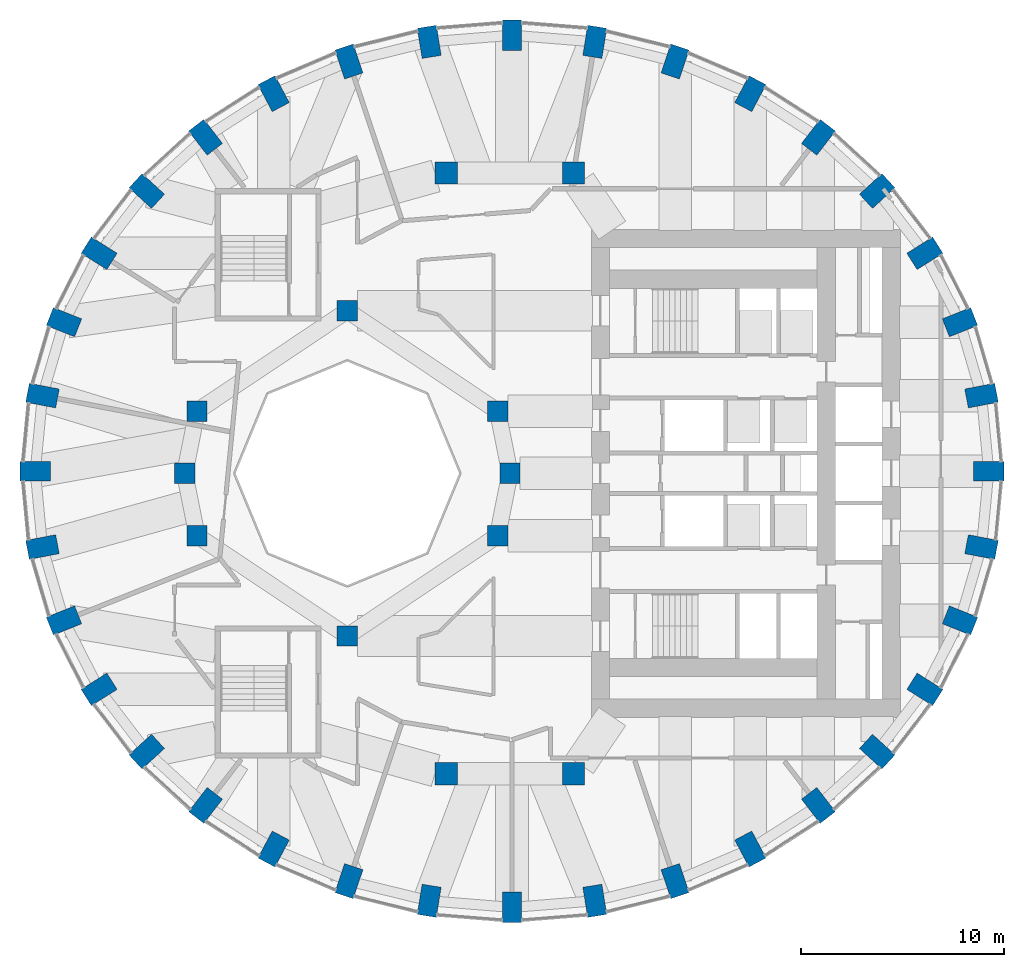
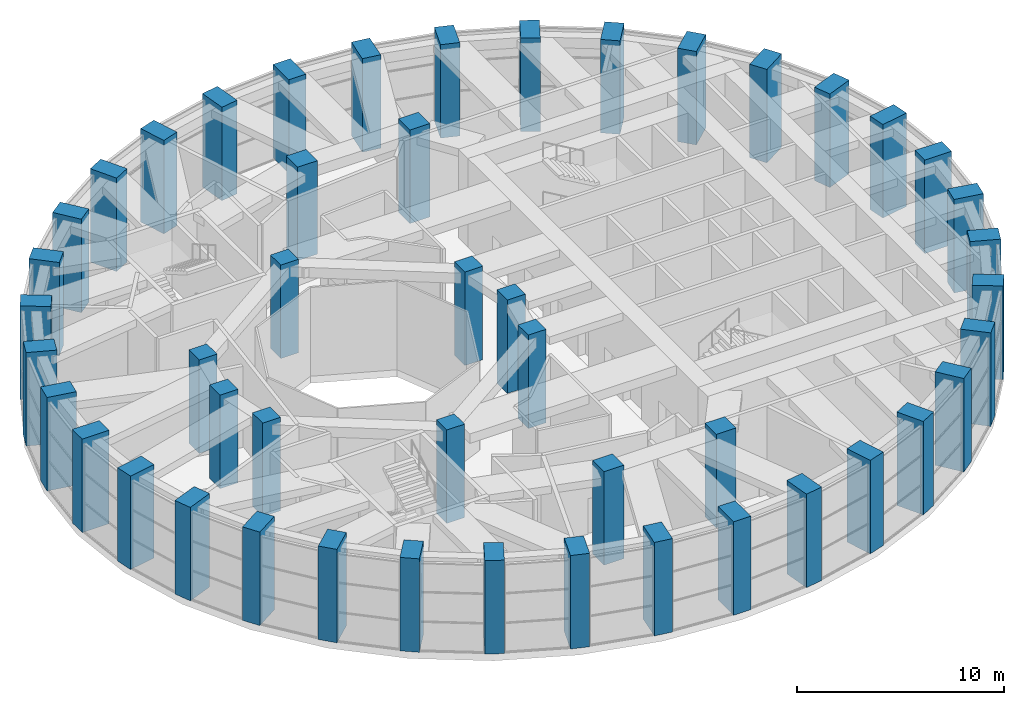
# One storey, part 1 of 17: 48 columns.
"""IFC4 building model written with IfcOpenShell, lengths in metres."""

import ifcopenshell
import ifcopenshell.guid

model = None  # the IFC model being written
_history = None  # IfcOwnerHistory: only IFC2X3 demands one
_inside = {}  # id of a spatial element -> (the spatial element, [elements in it])
_under = {}  # id of a project, library or spatial element -> (it, [spatial elements below it])
_declared = {}  # id of a project -> (the project, [libraries it declares])
_typed = {}  # id of a type object -> (the type object, [elements of that type])
_made_of = {}  # id of a material, layer set ... -> (it, [elements and type objects made of it])


def new_model(schema):
    """Start an empty IFC model of exactly this schema.

    Asked for "IFC4X3", IfcOpenShell would pick the latest addendum, in which some entities
    have other attributes; the version numbers below select the first issue.
    IFC2X3 requires an IfcOwnerHistory on every rooted entity: one is made here for all.
    """
    global model, _history
    if schema == "IFC4X3":
        model = ifcopenshell.file(schema_version=(4, 3, 0, 0))
    else:
        model = ifcopenshell.file(schema=schema)
    _inside.clear()
    _under.clear()
    _declared.clear()
    _typed.clear()
    _made_of.clear()
    _history = None
    if model.schema == "IFC2X3":
        org = make("IfcOrganization", Name="unknown")
        user = make(
            "IfcPersonAndOrganization",
            ThePerson=make("IfcPerson", FamilyName="unknown"),
            TheOrganization=org,
        )
        app = make(
            "IfcApplication",
            ApplicationDeveloper=org,
            Version="unknown",
            ApplicationFullName="unknown",
            ApplicationIdentifier="unknown",
        )
        _history = make(
            "IfcOwnerHistory",
            OwningUser=user,
            OwningApplication=app,
            ChangeAction="ADDED",
            CreationDate=0,
        )
    return model


def make(cls, **values):
    """One entity of the class cls with the attributes given. An attribute that is None is left unset."""
    return model.create_entity(
        cls, **{name: value for name, value in values.items() if value is not None}
    )


def rooted(cls, **values):
    """An entity with a GlobalId (a new one), such as an element, a storey or a relation."""
    return make(cls, GlobalId=ifcopenshell.guid.new(), OwnerHistory=_history, **values)


def si_unit(unit_type, name, prefix=None):
    """IfcSIUnit, for example si_unit("LENGTHUNIT", "METRE", prefix="MILLI")."""
    return make("IfcSIUnit", UnitType=unit_type, Prefix=prefix, Name=name)


def assignment(units):
    """IfcUnitAssignment: the units of a project."""
    return None if units is None else make("IfcUnitAssignment", Units=units)


def point(xyz):
    """IfcCartesianPoint."""
    return None if xyz is None else make("IfcCartesianPoint", Coordinates=xyz)


def direction(xyz):
    """IfcDirection."""
    return None if xyz is None else make("IfcDirection", DirectionRatios=xyz)


def frame(location, z_axis=None, x_axis=None):
    """IfcAxis2Placement3D, a coordinate frame: its origin and axes. An axis left out is left unset."""
    return make(
        "IfcAxis2Placement3D",
        Location=point(location),
        Axis=direction(z_axis),
        RefDirection=direction(x_axis),
    )


def frame_2d(location, x_axis=None):
    """IfcAxis2Placement2D, a coordinate frame in the plane: its origin and x axis."""
    return make(
        "IfcAxis2Placement2D", Location=point(location), RefDirection=direction(x_axis)
    )


def origin():
    """The frame at (0, 0, 0) with its axes left unset."""
    return frame((0.0, 0.0, 0.0))


def origin_2d():
    """The frame at (0, 0) in the plane with its x axis left unset."""
    return frame_2d((0.0, 0.0))


def place(relative_to, where):
    """IfcLocalPlacement: puts the frame where relative to a parent placement (None: the world)."""
    return make(
        "IfcLocalPlacement", PlacementRelTo=relative_to, RelativePlacement=where
    )


def context(
    kind, dimensions, precision=None, world=None, true_north=None, identifier=None
):
    """IfcGeometricRepresentationContext, for example the 3D "Model" context."""
    return make(
        "IfcGeometricRepresentationContext",
        ContextIdentifier=identifier,
        ContextType=kind,
        CoordinateSpaceDimension=dimensions,
        Precision=precision,
        WorldCoordinateSystem=world,
        TrueNorth=true_north,
    )


def subcontext(parent, identifier, kind, view, scale=None):
    """IfcGeometricRepresentationSubContext, for example "Body" below "Model"."""
    return make(
        "IfcGeometricRepresentationSubContext",
        ContextIdentifier=identifier,
        ContextType=kind,
        ParentContext=parent,
        TargetScale=scale,
        TargetView=view,
    )


def project(units=None, contexts=None):
    """IfcProject with its units and contexts."""
    return rooted(
        "IfcProject",
        Name="project",
        RepresentationContexts=contexts,
        UnitsInContext=assignment(units),
    )


def spatial(cls, under=None, at=None, **own):
    """A site, building, storey or space (cls), placed at a placement, below another one or the project."""
    s = rooted(cls, ObjectPlacement=at, **own)
    if under is not None:
        _under.setdefault(under.id(), (under, []))[1].append(s)
    return s


def profile(cls, at=None, kind="AREA", **sizes):
    """A parametric profile (cls). Its sizes go by their IFC names, for example OverallWidth=200.0."""
    return make(cls, ProfileType=kind, Position=at, **sizes)


def rectangle(**sizes):
    """IfcRectangleProfileDef."""
    return profile("IfcRectangleProfileDef", **sizes)


def extrude(swept, where, along, depth):
    """IfcExtrudedAreaSolid: the profile swept, set in the frame where, extruded along a direction by depth."""
    return make(
        "IfcExtrudedAreaSolid",
        SweptArea=swept,
        Position=where,
        ExtrudedDirection=direction(along),
        Depth=depth,
    )


def shape(context_of_items, identifier, shape_type, items):
    """IfcShapeRepresentation: the items that make up one representation, for example the "Body"."""
    return make(
        "IfcShapeRepresentation",
        ContextOfItems=context_of_items,
        RepresentationIdentifier=identifier,
        RepresentationType=shape_type,
        Items=items,
    )


def material(Name=None, Category=None):
    """IfcMaterial."""
    return make("IfcMaterial", Name=Name, Category=Category)


def material_profile(
    of_material, cross_section, Name=None, Category=None, Priority=None
):
    """IfcMaterialProfile: a cross section and its material."""
    return make(
        "IfcMaterialProfile",
        Name=Name,
        Material=of_material,
        Profile=cross_section,
        Priority=Priority,
        Category=Category,
    )


def profile_set(profiles, Name=None, composite=None):
    """IfcMaterialProfileSet."""
    return make(
        "IfcMaterialProfileSet",
        Name=Name,
        MaterialProfiles=profiles,
        CompositeProfile=composite,
    )


def made_of(thing, what):
    """Note that an element or type object is made of a material, layer set ...; save() writes the relation."""
    if what is not None:
        _made_of.setdefault(what.id(), (what, []))[1].append(thing)
    return thing


def type_object(cls, material=None, **own):
    """A type object (cls), such as IfcWallType, which elements share."""
    return made_of(rooted(cls, **own), material)


def element(
    cls,
    number,
    at=None,
    inside=None,
    cuts=None,
    type_object=None,
    material=None,
    context=None,
    identifier="Body",
    shape_type=None,
    held_by="IfcProductDefinitionShape",
    body=None,
    shapes=None,
    **own,
):
    """One element of the class cls, such as IfcWall. Its Tag is "e" and its number.

    at: its placement. inside: the storey or other place that contains it. cuts: it is an
    opening in that element (IfcRelVoidsElement). A single representation is given by context,
    identifier, shape_type and body (its items); several are given by shapes. held_by: the class
    of the entity that holds the representations. save() writes the other relations.
    """
    e = rooted(cls, Tag="e%d" % number, ObjectPlacement=at, **own)
    if body is not None:
        shapes = [shape(context, identifier, shape_type, body)]
    if shapes is not None:
        e.Representation = make(held_by, Representations=shapes)
    if inside is not None:
        _inside.setdefault(inside.id(), (inside, []))[1].append(e)
    if cuts is not None:
        rooted(
            "IfcRelVoidsElement", RelatingBuildingElement=cuts, RelatedOpeningElement=e
        )
    if type_object is not None:
        _typed.setdefault(type_object.id(), (type_object, []))[1].append(e)
    return made_of(e, material)


def aggregate(whole, parts):
    """IfcRelAggregates: a whole, such as a stair, and the parts it consists of."""
    return rooted("IfcRelAggregates", RelatingObject=whole, RelatedObjects=parts)


def save(model, path):
    """Write the relations noted so far, then the file.

    IfcRelAggregates (storeys below a building ...), IfcRelContainedInSpatialStructure (elements
    in a storey), IfcRelDefinesByType, IfcRelAssociatesMaterial and IfcRelDeclares: one each for
    every whole, place, type object, material and project.
    """
    for whole, parts in _under.values():
        aggregate(whole, parts)
    for where, things in _inside.values():
        rooted(
            "IfcRelContainedInSpatialStructure",
            RelatedElements=things,
            RelatingStructure=where,
        )
    for kind, things in _typed.values():
        rooted("IfcRelDefinesByType", RelatedObjects=things, RelatingType=kind)
    for what, things in _made_of.values():
        rooted("IfcRelAssociatesMaterial", RelatedObjects=things, RelatingMaterial=what)
    for by, libraries in _declared.values():
        rooted("IfcRelDeclares", RelatingContext=by, RelatedDefinitions=libraries)
    model.write(path)


model = new_model("IFC4")

# Units and contexts
model_context = context("Model", 3, precision=1e-05, world=origin(), true_north=direction((0.0, 1.0)))
body_context = subcontext(model_context, "Body", "Model", "MODEL_VIEW")
ifc_project = project(units=[si_unit("LENGTHUNIT", "METRE"), si_unit("AREAUNIT", "SQUARE_METRE"), si_unit("VOLUMEUNIT", "CUBIC_METRE"), si_unit("PLANEANGLEUNIT", "RADIAN"), si_unit("MASSUNIT", "GRAM", prefix="KILO")], contexts=[model_context])

# Site, building, storey
site_placement = place(None, origin())
site = spatial("IfcSite", under=ifc_project, at=site_placement, CompositionType="ELEMENT")
building_placement = place(site_placement, origin())
building = spatial("IfcBuilding", under=site, at=building_placement, Name="Taillehof Tower", CompositionType="ELEMENT")
storey_placement = place(building_placement, frame((0.0, 0.0, 139.60009765625)))
storey = spatial("IfcBuildingStorey", under=building, at=storey_placement, Name="L39", CompositionType="ELEMENT", Elevation=139.60009765625)

# Columns
ifc_material_1 = material(Name="Concrete C50/60", Category="concrete")
ifc_material_profile_1 = material_profile(ifc_material_1, rectangle(XDim=1.0, YDim=1.0, at=origin_2d()), Name="RC 1000x1000")
ifc_profile_set_1 = profile_set([ifc_material_profile_1], Name="Concrete C50/60")
column_type_1 = type_object("IfcColumnType", Name="Atrium ring column C50/60 1000x1000", PredefinedType="COLUMN", material=ifc_profile_set_1)
for number, where, z_axis, x_axis, name in (
    (1, (0.0, 0.0, 0.0), (0.0, 0.0, 1.0), (1.0, 0.0, 0.0), "Column AC01"),
    (2, (-0.60888671875, 3.0615234375, 0.0), (0.0, 0.0, 1.0), (1.0, 0.0, 0.0), "Column AC02"),
    (3, (-8.0, 8.0, 0.0), (0.0, 0.0, 1.0), (1.0, 0.0, 0.0), "Column AC05"),
    (4, (-15.39111328125, 3.0615234375, 0.0), (0.0, 0.0, 1.0), (1.0, 0.0, 0.0), "Column AC08"),
    (5, (-16.0, 0.0, 0.0), (0.0, 0.0, 1.0), (1.0, 0.0, 0.0), "Column AC09"),
    (6, (-15.39111328125, -3.0615234375, 0.0), (0.0, 0.0, 1.0), (1.0, 0.0, 0.0), "Column AC10"),
    (7, (-8.0, -8.0, 0.0), (0.0, 0.0, 1.0), (1.0, 0.0, 0.0), "Column AC13"),
    (8, (-0.60888671875, -3.0615234375, 0.0), (0.0, 0.0, 1.0), (1.0, 0.0, 0.0), "Column AC16"),
):
    element("IfcColumn", number, at=place(storey_placement, frame(where, z_axis=z_axis, x_axis=x_axis)), inside=storey, type_object=column_type_1, Name=name, PredefinedType="COLUMN", context=body_context, shape_type="SweptSolid", body=[
        extrude(rectangle(XDim=1.0, YDim=1.0, at=origin_2d()), origin(), (0.0, 0.0, 1.0), 5.5),
    ])
ifc_material_2 = material(Name="Concrete C50/60", Category="concrete")
ifc_material_profile_2 = material_profile(ifc_material_2, rectangle(XDim=1.10009765625, YDim=1.10009765625, at=origin_2d()), Name="RC 1100x1100")
ifc_profile_set_2 = profile_set([ifc_material_profile_2], Name="Concrete C50/60")
column_type_2 = type_object("IfcColumnType", Name="Mid-ring column C50/60 1100x1100", PredefinedType="COLUMN", material=ifc_profile_set_2)
for number, where, z_axis, x_axis, name in (
    (9, (3.125732421875, 14.772216796875, 0.0), (0.0, 0.0, 1.0), (1.0, 0.0, 0.0), "Column MC05"),
    (10, (-3.125732421875, 14.772216796875, 0.0), (0.0, 0.0, 1.0), (1.0, 0.0, 0.0), "Column MC06"),
    (11, (-3.125732421875, -14.772216796875, 0.0), (0.0, 0.0, 1.0), (1.0, 0.0, 0.0), "Column MC14"),
    (12, (3.125732421875, -14.772216796875, 0.0), (0.0, 0.0, 1.0), (1.0, 0.0, 0.0), "Column MC15"),
):
    element("IfcColumn", number, at=place(storey_placement, frame(where, z_axis=z_axis, x_axis=x_axis)), inside=storey, type_object=column_type_2, Name=name, PredefinedType="COLUMN", context=body_context, shape_type="SweptSolid", body=[
        extrude(rectangle(XDim=1.10009765625, YDim=1.10009765625, at=origin_2d()), origin(), (0.0, 0.0, 1.0), 5.5),
    ])
ifc_material_3 = material(Name="Concrete C60/75", Category="concrete")
ifc_material_profile_3 = material_profile(ifc_material_3, rectangle(XDim=1.5, YDim=0.949951171875, at=origin_2d()), Name="RC 1500x950")
ifc_profile_set_3 = profile_set([ifc_material_profile_3], Name="Concrete C60/75")
column_type_3 = type_object("IfcColumnType", Name="Ring column C60/75 1500x950", PredefinedType="COLUMN", material=ifc_profile_set_3)
for number, where, z_axis, x_axis, name in (
    (13, (23.550048828125, 0.10009765625, 0.0), (0.0, 0.0, 1.0), (1.0, 0.0, 0.0), "Ring column RC01"),
    (14, (23.19384765625, 3.82470703125, 0.0), (0.0, 0.0, 1.0), (0.98202380309, 0.188757119508, 0.0), "Ring column RC02"),
    (15, (22.1357421875, 7.436279296875, 0.0), (0.0, 0.0, 1.0), (0.929511471762, 0.368793199317, 0.0), "Ring column RC03"),
    (16, (20.408203125, 10.824951171875, 0.0), (0.0, 0.0, 1.0), (0.846334224225, 0.532652213837, 0.0), "Ring column RC04"),
    (17, (18.063720703125, 13.8876953125, 0.0), (0.0, 0.0, 1.0), (0.7378786352, 0.674933418727, 0.0), "Ring column RC05"),
    (18, (15.17333984375, 16.53173828125, 0.0), (0.0, 0.0, 1.0), (0.609970500644, 0.792424121506, 0.0), "Ring column RC06"),
    (19, (11.824951171875, 18.67626953125, 0.0), (0.0, 0.0, 1.0), (0.468042101717, 0.883706167807, 0.0), "Ring column RC07"),
    (20, (8.120361328125, 20.25634765625, 0.0), (0.0, 0.0, 1.0), (0.316702950283, 0.948524771043, 0.0), "Ring column RC08"),
    (21, (4.172119140625, 21.22412109375, 0.0), (0.0, 0.0, 1.0), (0.159679090777, 0.987168976401, 0.0), "Ring column RC09"),
    (22, (0.10009765625, 21.550048828125, 0.0), (0.0, 0.0, 1.0), (0.0, 1.0, 0.0), "Ring column RC10"),
    (23, (-3.97216796875, 21.22412109375, 0.0), (0.0, 0.0, 1.0), (-0.159679090777, 0.987168976401, 0.0), "Ring column RC11"),
    (24, (-7.92041015625, 20.25634765625, 0.0), (0.0, 0.0, 1.0), (-0.316702950283, 0.948524771043, 0.0), "Ring column RC12"),
    (25, (-11.625, 18.67626953125, 0.0), (0.0, 0.0, 1.0), (-0.468042101717, 0.883706167807, 0.0), "Ring column RC13"),
    (26, (-14.973388671875, 16.53173828125, 0.0), (0.0, 0.0, 1.0), (-0.609970500644, 0.792424121506, 0.0), "Ring column RC14"),
    (27, (-17.86376953125, 13.8876953125, 0.0), (0.0, 0.0, 1.0), (-0.7378786352, 0.674933418727, 0.0), "Ring column RC15"),
    (28, (-20.208251953125, 10.824951171875, 0.0), (0.0, 0.0, 1.0), (-0.846334224225, 0.532652213837, 0.0), "Ring column RC16"),
    (29, (-21.935791015625, 7.436279296875, 0.0), (0.0, 0.0, 1.0), (-0.929511471762, 0.368793199317, 0.0), "Ring column RC17"),
    (30, (-22.99365234375, 3.82470703125, 0.0), (0.0, 0.0, 1.0), (-0.98202380309, 0.188757119508, 0.0), "Ring column RC18"),
    (31, (-23.35009765625, 0.10009765625, 0.0), (0.0, 0.0, 1.0), (-1.0, 0.0, 0.0), "Ring column RC19"),
    (32, (-22.99365234375, -3.624755859375, 0.0), (0.0, 0.0, 1.0), (-0.98202380309, -0.188757119508, 0.0), "Ring column RC20"),
    (33, (-21.935791015625, -7.236328125, 0.0), (0.0, 0.0, 1.0), (-0.929511471762, -0.368793199317, 0.0), "Ring column RC21"),
    (34, (-20.208251953125, -10.625, 0.0), (0.0, 0.0, 1.0), (-0.846334224225, -0.532652213837, 0.0), "Ring column RC22"),
    (35, (-17.86376953125, -13.687744140625, 0.0), (0.0, 0.0, 1.0), (-0.7378786352, -0.674933418727, 0.0), "Ring column RC23"),
    (36, (-14.973388671875, -16.33154296875, 0.0), (0.0, 0.0, 1.0), (-0.609970500644, -0.792424121506, 0.0), "Ring column RC24"),
    (37, (-11.625, -18.476318359375, 0.0), (0.0, 0.0, 1.0), (-0.468042101717, -0.883706167807, 0.0), "Ring column RC25"),
    (38, (-7.92041015625, -20.056396484375, 0.0), (0.0, 0.0, 1.0), (-0.316702950283, -0.948524771043, 0.0), "Ring column RC26"),
    (39, (-3.97216796875, -21.024169921875, 0.0), (0.0, 0.0, 1.0), (-0.159679090777, -0.987168976401, 0.0), "Ring column RC27"),
    (40, (0.10009765625, -21.35009765625, 0.0), (0.0, 0.0, 1.0), (0.0, -1.0, 0.0), "Ring column RC28"),
    (41, (4.172119140625, -21.024169921875, 0.0), (0.0, 0.0, 1.0), (0.159679090777, -0.987168976401, 0.0), "Ring column RC29"),
    (42, (8.120361328125, -20.056396484375, 0.0), (0.0, 0.0, 1.0), (0.316702950283, -0.948524771043, 0.0), "Ring column RC30"),
    (43, (11.824951171875, -18.476318359375, 0.0), (0.0, 0.0, 1.0), (0.468042101717, -0.883706167807, 0.0), "Ring column RC31"),
    (44, (15.17333984375, -16.33154296875, 0.0), (0.0, 0.0, 1.0), (0.609970500644, -0.792424121506, 0.0), "Ring column RC32"),
    (45, (18.063720703125, -13.687744140625, 0.0), (0.0, 0.0, 1.0), (0.7378786352, -0.674933418727, 0.0), "Ring column RC33"),
    (46, (20.408203125, -10.625, 0.0), (0.0, 0.0, 1.0), (0.846334224225, -0.532652213837, 0.0), "Ring column RC34"),
    (47, (22.1357421875, -7.236328125, 0.0), (0.0, 0.0, 1.0), (0.929511471762, -0.368793199317, 0.0), "Ring column RC35"),
    (48, (23.19384765625, -3.624755859375, 0.0), (0.0, 0.0, 1.0), (0.98202380309, -0.188757119508, 0.0), "Ring column RC36"),
):
    element("IfcColumn", number, at=place(storey_placement, frame(where, z_axis=z_axis, x_axis=x_axis)), inside=storey, type_object=column_type_3, Name=name, PredefinedType="COLUMN", context=body_context, shape_type="SweptSolid", body=[
        extrude(rectangle(XDim=1.5, YDim=0.949951171875, at=origin_2d()), origin(), (0.0, 0.0, 1.0), 5.5),
    ])

save(model, "model.ifc")
